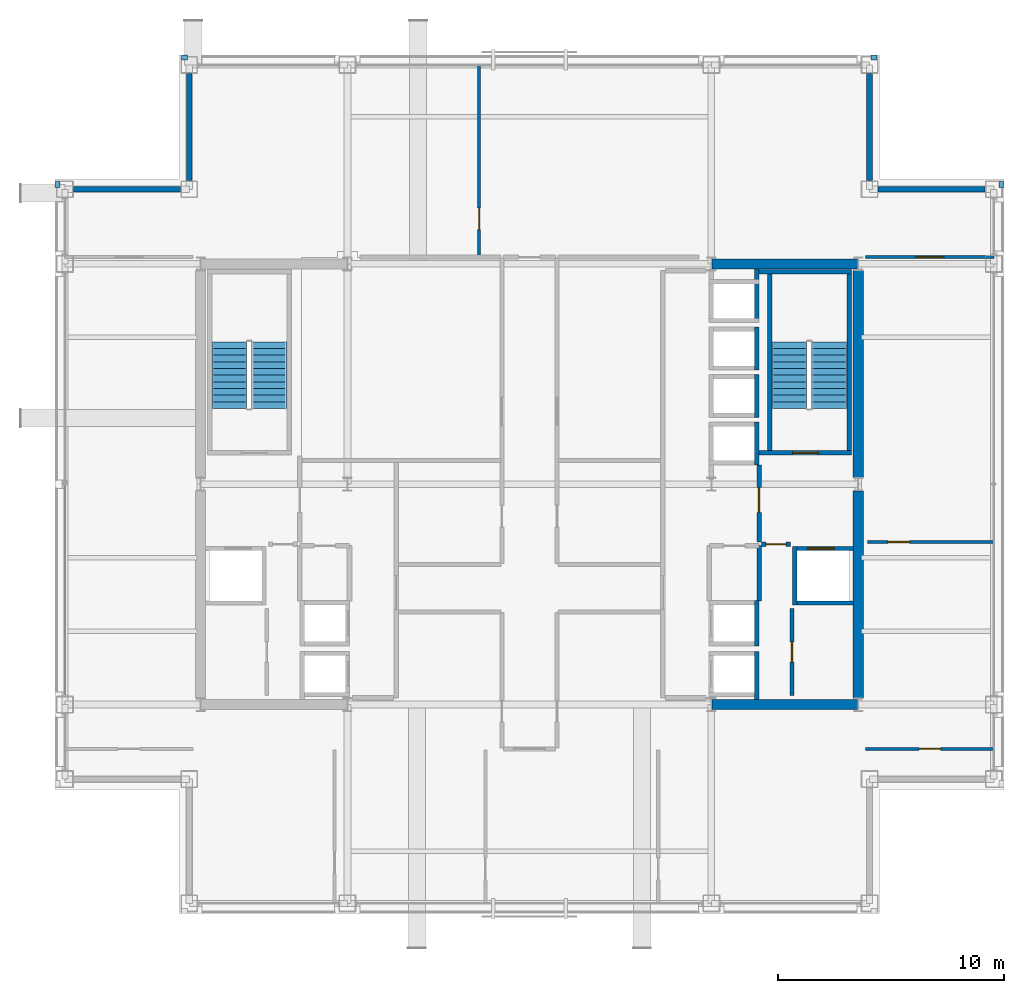
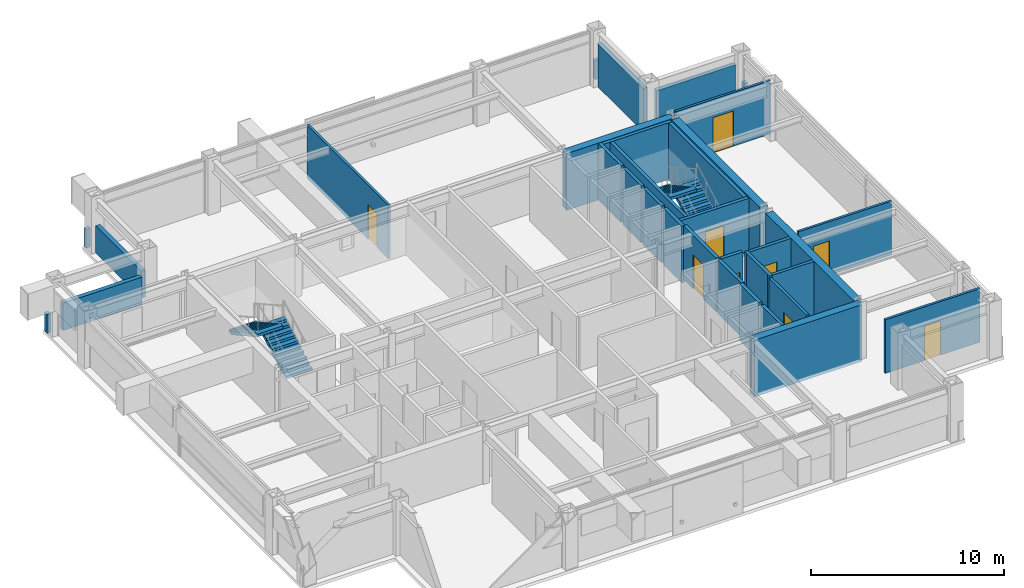
# One storey, part 26 of 28: 33 walls, 9 doors, 4 stair flights, 9 openings, 2 elements without a shape of their own.
"""IFC4 building model written with IfcOpenShell, lengths in metres."""

from ifc_helpers import new_model, si_unit, direction, frame, frame_2d, origin, place, context, subcontext, project, spatial, polyline, rectangle, outline, extrude, material, layer, layer_set, type_object, element, fill, aggregate, save


model = new_model("IFC4")

# Units and contexts
model_context = context("Model", 3, precision=1e-05, world=origin(), true_north=direction((0.0, 1.0)))
body_context = subcontext(model_context, "Body", "Model", "MODEL_VIEW")
ifc_project = project(units=[si_unit("LENGTHUNIT", "METRE"), si_unit("AREAUNIT", "SQUARE_METRE"), si_unit("VOLUMEUNIT", "CUBIC_METRE"), si_unit("PLANEANGLEUNIT", "RADIAN"), si_unit("MASSUNIT", "GRAM", prefix="KILO")], contexts=[model_context])

# Site, building, storey
site_placement = place(None, origin())
site = spatial("IfcSite", under=ifc_project, at=site_placement, CompositionType="ELEMENT")
building_placement = place(site_placement, origin())
building = spatial("IfcBuilding", under=site, at=building_placement, Name="Brelmoor Portico Tower", CompositionType="ELEMENT")
storey_placement = place(building_placement, frame((0.0, 0.0, 155.10009765625)))
storey = spatial("IfcBuildingStorey", under=building, at=storey_placement, Name="L40", CompositionType="ELEMENT", Elevation=155.10009765625)

# Walls
ifc_material_1 = material(Name="Concrete C50", Category="concrete")
ifc_layer_1 = layer(ifc_material_1, 0.449951171875)
ifc_layer_set_1 = layer_set([ifc_layer_1], Name="Concrete C50")
wall_type_1 = type_object("IfcWallType", Name="WL-CORE-450", PredefinedType="SHEAR", material=ifc_layer_set_1)
for number, where, z_axis, x_axis, name in (
    (1, (8.070068359375, -9.75, -0.2001953125), (0.0, 0.0, 1.0), (1.0, 0.0, 0.0), "L40 EC South Shear Wall"),
    (2, (8.070068359375, 9.75, -0.2001953125), (0.0, 0.0, 1.0), (1.0, 0.0, 0.0), "L40 EC North Shear Wall"),
):
    element("IfcWall", number, at=place(storey_placement, frame(where, z_axis=z_axis, x_axis=x_axis)), inside=storey, type_object=wall_type_1, Name=name, PredefinedType="SHEAR", context=body_context, shape_type="SweptSolid", body=[
        extrude(rectangle(XDim=6.4599609375, YDim=0.449951171875, at=frame_2d((3.22998046875, 0.0))), origin(), (0.0, 0.0, 1.0), 3.60009765625),
    ])
for number, where, z_axis, x_axis, name in (
    (3, (14.550048828125, -9.449951171875, -0.2001953125), (0.0, 0.0, 1.0), (0.0, 1.0, 0.0), "L40 EC Outer South Shear Wall"),
    (4, (14.550048828125, 0.300048828125, -0.2001953125), (0.0, 0.0, 1.0), (0.0, 1.0, 0.0), "L40 EC Outer North Shear Wall"),
):
    element("IfcWall", number, at=place(storey_placement, frame(where, z_axis=z_axis, x_axis=x_axis)), inside=storey, type_object=wall_type_1, Name=name, PredefinedType="SHEAR", context=body_context, shape_type="SweptSolid", body=[
        extrude(rectangle(XDim=9.14990234375, YDim=0.449951171875, at=frame_2d((4.574951171875, 0.0))), origin(), (0.0, 0.0, 1.0), 3.60009765625),
    ])
ifc_material_2 = material(Name="Precast Concrete C40 Insulated Facade Wall", Category="concrete")
ifc_layer_2 = layer(ifc_material_2, 0.25)
ifc_layer_set_2 = layer_set([ifc_layer_2], Name="Precast Concrete C40 Insulated Facade Wall")
wall_type_2 = type_object("IfcWallType", Name="WL-EXT-250", PredefinedType="STANDARD", material=ifc_layer_set_2)
for number, where, z_axis, x_axis, name in (
    (5, (-20.1650390625, 13.050048828125, 0.0), (0.0, 0.0, 1.0), (1.0, 0.0, 0.0), "L40 Corner Notch Facade Wall NNWH1"),
    (6, (-15.050048828125, 13.43505859375, 0.0), (0.0, 0.0, 1.0), (0.0, 1.0, 0.0), "L40 Corner Notch Facade Wall NNWV1"),
):
    element("IfcWall", number, at=place(storey_placement, frame(where, z_axis=z_axis, x_axis=x_axis)), inside=storey, type_object=wall_type_2, Name=name, PredefinedType="STANDARD", context=body_context, shape_type="SweptSolid", body=[
        extrude(rectangle(XDim=4.72998046875, YDim=0.25, at=frame_2d((2.364990234375, 0.0))), origin(), (0.0, 0.0, 1.0), 1.739990234375),
    ])
for number, where, z_axis, x_axis, name in (
    (7, (15.43505859375, 13.050048828125, 0.0), (0.0, 0.0, 1.0), (1.0, 0.0, 0.0), "L40 Corner Notch Facade Wall NNEH1"),
    (8, (15.050048828125, 13.43505859375, 0.0), (0.0, 0.0, 1.0), (0.0, 1.0, 0.0), "L40 Corner Notch Facade Wall NNEV1"),
):
    element("IfcWall", number, at=place(storey_placement, frame(where, z_axis=z_axis, x_axis=x_axis)), inside=storey, type_object=wall_type_2, Name=name, PredefinedType="STANDARD", context=body_context, shape_type="SweptSolid", body=[
        extrude(rectangle(XDim=4.72998046875, YDim=0.25, at=frame_2d((2.364990234375, 0.0))), origin(), (0.0, 0.0, 1.0), 2.75),
    ])
ifc_material_3 = material(Name="Concrete C40 Parapet Upstand", Category="concrete")
ifc_layer_3 = layer(ifc_material_3, 0.219970703125)
ifc_layer_set_3 = layer_set([ifc_layer_3], Name="Concrete C40 Parapet Upstand")
wall_type_3 = type_object("IfcWallType", Name="WL-PARAPET-220", PredefinedType="PARAPET", material=ifc_layer_set_3)
for number, where, z_axis, x_axis, name in (
    (9, (-15.389892578125, 18.889892578125, 0.0), (0.0, 0.0, 1.0), (1.0, 0.0, 0.0), "L40 Chamfer Vertex Parapet Pier NW1"),
    (10, (-20.889892578125, 13.1201171875, 0.0), (0.0, 0.0, 1.0), (0.0, 1.0, 0.0), "L40 Chamfer Vertex Parapet Pier NW2"),
    (11, (15.1201171875, 18.889892578125, 0.0), (0.0, 0.0, 1.0), (1.0, 0.0, 0.0), "L40 Chamfer Vertex Parapet Pier NE1"),
    (12, (20.889892578125, 13.1201171875, 0.0), (0.0, 0.0, 1.0), (0.0, 1.0, 0.0), "L40 Chamfer Vertex Parapet Pier NE2"),
):
    element("IfcWall", number, at=place(storey_placement, frame(where, z_axis=z_axis, x_axis=x_axis)), inside=storey, type_object=wall_type_3, Name=name, PredefinedType="PARAPET", context=body_context, shape_type="SweptSolid", body=[
        extrude(rectangle(XDim=0.269775390625, YDim=0.219970703125, at=frame_2d((0.134765625, 0.0))), origin(), (0.0, 0.0, 1.0), 1.199951171875),
    ])

# Wall, opening, door
ifc_material_4 = material(Name="Insulated Stud Suite Partition", Category="gypsum")
ifc_layer_4 = layer(ifc_material_4, 0.139892578125)
ifc_layer_set_4 = layer_set([ifc_layer_4], Name="Insulated Stud Suite Partition")
wall_type_4 = type_object("IfcWallType", Name="WL-PART-140", PredefinedType="PARTITIONING", material=ifc_layer_set_4)
wall_1_placement = place(storey_placement, frame((-2.2255859375, 10.110107421875, 0.0), z_axis=(0.0, 0.0, 1.0), x_axis=(0.0, 1.0, 0.0)))
wall_1 = element("IfcWall", 13, at=wall_1_placement, inside=storey, type_object=wall_type_4, Name="L40 North Suite Partition 1", PredefinedType="PARTITIONING", context=body_context, shape_type="SweptSolid", body=[
    extrude(rectangle(XDim=8.449951171875, YDim=0.139892578125, at=frame_2d((4.22509765625, 0.0))), origin(), (0.0, 0.0, 1.0), 3.39990234375),
])
opening_1_placement = place(wall_1_placement, frame((1.14990234375, 0.0, 0.0)))
opening_1 = element("IfcOpeningElement", 14, at=opening_1_placement, cuts=wall_1, Name="Opening D-IN2", PredefinedType="OPENING", context=body_context, shape_type="SweptSolid", body=[
    extrude(rectangle(XDim=0.9599609375, YDim=2.179931640625, at=frame_2d((0.47998046875, 1.08984375))), frame((0.0, 0.079833984375, 0.0), z_axis=(0.0, -1.0, 0.0), x_axis=(1.0, 0.0, 0.0)), (0.0, 0.0, 1.0), 0.159912109375),
])
ifc_material_5 = material(Name="Lacquered Timber Suite Door", Category="wood")
door_type_1 = type_object("IfcDoorType", Name="DR-INT-950", OperationType="NOTDEFINED", PredefinedType="DOOR", material=ifc_material_5)
door_1_placement = place(opening_1_placement, origin())
door_1 = element("IfcDoor", 15, at=door_1_placement, inside=storey, type_object=door_type_1, Name="D-1725 L40 North Suite Connecting Door 1", OperationType="SINGLE_SWING_LEFT", OverallHeight=2.179931640625, OverallWidth=0.9599609375, PredefinedType="DOOR", context=body_context, shape_type="SweptSolid", body=[
    extrude(rectangle(XDim=0.9599609375, YDim=2.179931640625, at=frame_2d((0.47998046875, 1.08984375))), frame((0.0, 0.02490234375, 0.0), z_axis=(0.0, -1.0, 0.0), x_axis=(1.0, 0.0, 0.0)), (0.0, 0.0, 1.0), 0.050048828125),
])
fill(opening_1, door_1)

wall_2_placement = place(storey_placement, frame((14.8798828125, 10.050048828125, 0.0), z_axis=(0.0, 0.0, 1.0), x_axis=(1.0, 0.0, 0.0)))
wall_2 = element("IfcWall", 16, at=wall_2_placement, inside=storey, type_object=wall_type_4, Name="L40 North Wing Suite Wall ER", PredefinedType="PARTITIONING", context=body_context, shape_type="SweptSolid", body=[
    extrude(rectangle(XDim=5.68017578125, YDim=0.139892578125, at=frame_2d((2.840087890625, 0.0))), origin(), (0.0, 0.0, 1.0), 3.39990234375),
])
opening_2_placement = place(wall_2_placement, frame((2.219970703125, 0.0, 0.0)))
opening_2 = element("IfcOpeningElement", 17, at=opening_2_placement, cuts=wall_2, Name="Opening D-SU1", PredefinedType="OPENING", context=body_context, shape_type="SweptSolid", body=[
    extrude(rectangle(XDim=1.239990234375, YDim=2.239990234375, at=frame_2d((0.6201171875, 1.1201171875))), frame((0.0, 0.079833984375, 0.0), z_axis=(0.0, -1.0, 0.0), x_axis=(1.0, 0.0, 0.0)), (0.0, 0.0, 1.0), 0.159912109375),
])
ifc_material_6 = material(Name="Glazed Timber Executive Suite Door", Category="wood")
door_type_2 = type_object("IfcDoorType", Name="DR-SUITE-1200", OperationType="NOTDEFINED", PredefinedType="DOOR", material=ifc_material_6)
door_2_placement = place(opening_2_placement, origin())
door_2 = element("IfcDoor", 18, at=door_2_placement, inside=storey, type_object=door_type_2, Name="D-1726 L40 ER Wing Suite Connecting Door", OperationType="SINGLE_SWING_RIGHT", OverallHeight=2.239990234375, OverallWidth=1.239990234375, PredefinedType="DOOR", context=body_context, shape_type="SweptSolid", body=[
    extrude(rectangle(XDim=1.239990234375, YDim=2.239990234375, at=frame_2d((0.6201171875, 1.1201171875))), frame((0.0, 0.02490234375, 0.0), z_axis=(0.0, -1.0, 0.0), x_axis=(1.0, 0.0, 0.0)), (0.0, 0.0, 1.0), 0.050048828125),
])
fill(opening_2, door_2)

wall_3_placement = place(storey_placement, frame((14.8798828125, -11.7099609375, 0.0), z_axis=(0.0, 0.0, 1.0), x_axis=(1.0, 0.0, 0.0)))
wall_3 = element("IfcWall", 19, at=wall_3_placement, inside=storey, type_object=wall_type_4, Name="L40 South Wing Closure ER", PredefinedType="PARTITIONING", context=body_context, shape_type="SweptSolid", body=[
    extrude(rectangle(XDim=5.68017578125, YDim=0.139892578125, at=frame_2d((2.840087890625, 0.0))), origin(), (0.0, 0.0, 1.0), 3.39990234375),
])
opening_3_placement = place(wall_3_placement, frame((2.360107421875, 0.0, 0.0)))
opening_3 = element("IfcOpeningElement", 20, at=opening_3_placement, cuts=wall_3, Name="Opening D-IN2", PredefinedType="OPENING", context=body_context, shape_type="SweptSolid", body=[
    extrude(rectangle(XDim=0.9599609375, YDim=2.179931640625, at=frame_2d((0.47998046875, 1.08984375))), frame((0.0, 0.079833984375, 0.0), z_axis=(0.0, -1.0, 0.0), x_axis=(1.0, 0.0, 0.0)), (0.0, 0.0, 1.0), 0.159912109375),
])
door_3_placement = place(opening_3_placement, origin())
door_3 = element("IfcDoor", 21, at=door_3_placement, inside=storey, type_object=door_type_1, Name="D-1734 L40 ER Wing South Suite Door", OperationType="SINGLE_SWING_LEFT", OverallHeight=2.179931640625, OverallWidth=0.9599609375, PredefinedType="DOOR", context=body_context, shape_type="SweptSolid", body=[
    extrude(rectangle(XDim=0.9599609375, YDim=2.179931640625, at=frame_2d((0.47998046875, 1.08984375))), frame((0.0, 0.02490234375, 0.0), z_axis=(0.0, -1.0, 0.0), x_axis=(1.0, 0.0, 0.0)), (0.0, 0.0, 1.0), 0.050048828125),
])
fill(opening_3, door_3)

wall_4_placement = place(storey_placement, frame((14.9599609375, -2.55810546875, 0.0), z_axis=(0.0, 0.0, 1.0), x_axis=(1.0, 0.0, 0.0)))
wall_4 = element("IfcWall", 22, at=wall_4_placement, inside=storey, type_object=wall_type_4, Name="L40 E Wing Partition 1", PredefinedType="PARTITIONING", context=body_context, shape_type="SweptSolid", body=[
    extrude(rectangle(XDim=5.60009765625, YDim=0.139892578125, at=frame_2d((2.800048828125, 0.0))), origin(), (0.0, 0.0, 1.0), 3.39990234375),
])
opening_4_placement = place(wall_4_placement, frame((0.89990234375, 0.0, 0.0)))
opening_4 = element("IfcOpeningElement", 23, at=opening_4_placement, cuts=wall_4, Name="Opening D-IN2", PredefinedType="OPENING", context=body_context, shape_type="SweptSolid", body=[
    extrude(rectangle(XDim=0.9599609375, YDim=2.179931640625, at=frame_2d((0.47998046875, 1.08984375))), frame((0.0, 0.079833984375, 0.0), z_axis=(0.0, -1.0, 0.0), x_axis=(1.0, 0.0, 0.0)), (0.0, 0.0, 1.0), 0.159912109375),
])
door_4_placement = place(opening_4_placement, origin())
door_4 = element("IfcDoor", 24, at=door_4_placement, inside=storey, type_object=door_type_1, Name="D-1736 L40 E Wing Suite Connecting Door 1", OperationType="SINGLE_SWING_RIGHT", OverallHeight=2.179931640625, OverallWidth=0.9599609375, PredefinedType="DOOR", context=body_context, shape_type="SweptSolid", body=[
    extrude(rectangle(XDim=0.9599609375, YDim=2.179931640625, at=frame_2d((0.47998046875, 1.08984375))), frame((0.0, 0.02490234375, 0.0), z_axis=(0.0, -1.0, 0.0), x_axis=(1.0, 0.0, 0.0)), (0.0, 0.0, 1.0), 0.050048828125),
])
fill(opening_4, door_4)

ifc_material_7 = material(Name="Twin-Frame Acoustic Partition", Category="gypsum")
ifc_layer_5 = layer(ifc_material_7, 0.159912109375)
ifc_layer_set_5 = layer_set([ifc_layer_5], Name="Twin-Frame Acoustic Partition")
wall_type_5 = type_object("IfcWallType", Name="WL-PART-160", PredefinedType="PARTITIONING", material=ifc_layer_set_5)
wall_5_placement = place(storey_placement, frame((11.6201171875, -9.35009765625, 0.0), z_axis=(0.0, 0.0, 1.0), x_axis=(0.0, 1.0, 0.0)))
wall_5 = element("IfcWall", 25, at=wall_5_placement, inside=storey, type_object=wall_type_5, Name="L40 E Core Service Front Wall", PredefinedType="PARTITIONING", context=body_context, shape_type="SweptSolid", body=[
    extrude(rectangle(XDim=3.85009765625, YDim=0.159912109375, at=frame_2d((1.925048828125, 0.0))), origin(), (0.0, 0.0, 1.0), 3.39990234375),
])
opening_5_placement = place(wall_5_placement, frame((1.47509765625, 0.0, 0.0)))
opening_5 = element("IfcOpeningElement", 26, at=opening_5_placement, cuts=wall_5, Name="Opening D-IN1", PredefinedType="OPENING", context=body_context, shape_type="SweptSolid", body=[
    extrude(rectangle(XDim=0.89990234375, YDim=2.14990234375, at=frame_2d((0.449951171875, 1.074951171875))), frame((0.0, 0.08984375, 0.0), z_axis=(0.0, -1.0, 0.0), x_axis=(1.0, 0.0, 0.0)), (0.0, 0.0, 1.0), 0.179931640625),
])
door_type_3 = type_object("IfcDoorType", Name="DR-INT-900", OperationType="NOTDEFINED", PredefinedType="DOOR", material=ifc_material_5)
door_5_placement = place(opening_5_placement, origin())
door_5 = element("IfcDoor", 27, at=door_5_placement, inside=storey, type_object=door_type_3, Name="D-1714 L40 E Male WC Door", OperationType="SINGLE_SWING_RIGHT", OverallHeight=2.14990234375, OverallWidth=0.89990234375, PredefinedType="DOOR", context=body_context, shape_type="SweptSolid", body=[
    extrude(rectangle(XDim=0.89990234375, YDim=2.14990234375, at=frame_2d((0.449951171875, 1.074951171875))), frame((0.0, 0.02490234375, 0.0), z_axis=(0.0, -1.0, 0.0), x_axis=(1.0, 0.0, 0.0)), (0.0, 0.0, 1.0), 0.050048828125),
])
fill(opening_5, door_5)

ifc_material_8 = material(Name="Double-Stud Gypsum Fire Partition", Category="gypsum")
ifc_layer_6 = layer(ifc_material_8, 0.199951171875)
ifc_layer_set_6 = layer_set([ifc_layer_6], Name="Double-Stud Gypsum Fire Partition")
wall_type_6 = type_object("IfcWallType", Name="WL-PART-200", PredefinedType="PARTITIONING", material=ifc_layer_set_6)
wall_6_placement = place(storey_placement, frame((10.159912109375, -2.550048828125, 0.0), z_axis=(0.0, 0.0, 1.0), x_axis=(0.0, 1.0, 0.0)))
wall_6 = element("IfcWall", 28, at=wall_6_placement, inside=storey, type_object=wall_type_6, Name="L40 E Firefighting Lobby Wall", PredefinedType="PARTITIONING", context=body_context, shape_type="SweptSolid", body=[
    extrude(rectangle(XDim=3.400146484375, YDim=0.199951171875, at=frame_2d((1.7001953125, 0.0))), origin(), (0.0, 0.0, 1.0), 3.39990234375),
])
opening_6_placement = place(wall_6_placement, frame((1.300048828125, 0.0, 0.0)))
opening_6 = element("IfcOpeningElement", 29, at=opening_6_placement, cuts=wall_6, Name="Opening D-FR1", PredefinedType="OPENING", context=body_context, shape_type="SweptSolid", body=[
    extrude(rectangle(XDim=1.10009765625, YDim=2.14990234375, at=frame_2d((0.550048828125, 1.074951171875))), frame((0.0, 0.10986328125, 0.0), z_axis=(0.0, -1.0, 0.0), x_axis=(1.0, 0.0, 0.0)), (0.0, 0.0, 1.0), 0.219970703125),
])
ifc_material_9 = material(Name="Painted Galvanised Steel Fire Door", Category="steel")
door_type_4 = type_object("IfcDoorType", Name="DR-FIRE-1100", OperationType="NOTDEFINED", PredefinedType="DOOR", material=ifc_material_9)
door_6_placement = place(opening_6_placement, origin())
door_6 = element("IfcDoor", 30, at=door_6_placement, inside=storey, type_object=door_type_4, Name="D-1720 L40 E Firefighting Lobby Door", OperationType="SINGLE_SWING_LEFT", OverallHeight=2.14990234375, OverallWidth=1.10009765625, PredefinedType="DOOR", context=body_context, shape_type="SweptSolid", body=[
    extrude(rectangle(XDim=1.10009765625, YDim=2.14990234375, at=frame_2d((0.550048828125, 1.074951171875))), frame((0.0, 0.02490234375, 0.0), z_axis=(0.0, -1.0, 0.0), x_axis=(1.0, 0.0, 0.0)), (0.0, 0.0, 1.0), 0.050048828125),
])
fill(opening_6, door_6)

wall_7_placement = place(storey_placement, frame((10.280029296875, -2.64990234375, 0.0), z_axis=(0.0, 0.0, 1.0), x_axis=(1.0, 0.0, 0.0)))
wall_7 = element("IfcWall", 31, at=wall_7_placement, inside=storey, type_object=wall_type_6, Name="L40 E Firefighting Lobby South Wall", PredefinedType="PARTITIONING", context=body_context, shape_type="SweptSolid", body=[
    extrude(rectangle(XDim=1.27001953125, YDim=0.199951171875, at=frame_2d((0.635009765625, 0.0))), origin(), (0.0, 0.0, 1.0), 3.39990234375),
])
opening_7_placement = place(wall_7_placement, frame((0.18505859375, 0.0, 0.0)))
opening_7 = element("IfcOpeningElement", 32, at=opening_7_placement, cuts=wall_7, Name="Opening D-IN1", PredefinedType="OPENING", context=body_context, shape_type="SweptSolid", body=[
    extrude(rectangle(XDim=0.89990234375, YDim=2.14990234375, at=frame_2d((0.449951171875, 1.074951171875))), frame((0.0, 0.10986328125, 0.0), z_axis=(0.0, -1.0, 0.0), x_axis=(1.0, 0.0, 0.0)), (0.0, 0.0, 1.0), 0.219970703125),
])
door_7_placement = place(opening_7_placement, origin())
door_7 = element("IfcDoor", 33, at=door_7_placement, inside=storey, type_object=door_type_3, Name="D-1715 L40 E Core Service Vestibule Door", OperationType="SINGLE_SWING_RIGHT", OverallHeight=2.14990234375, OverallWidth=0.89990234375, PredefinedType="DOOR", context=body_context, shape_type="SweptSolid", body=[
    extrude(rectangle(XDim=0.89990234375, YDim=2.14990234375, at=frame_2d((0.449951171875, 1.074951171875))), frame((0.0, 0.02490234375, 0.0), z_axis=(0.0, -1.0, 0.0), x_axis=(1.0, 0.0, 0.0)), (0.0, 0.0, 1.0), 0.050048828125),
])
fill(opening_7, door_7)

# Walls
wall_8_placement = place(storey_placement, frame((10.159912109375, -5.159912109375, 0.0), z_axis=(0.0, 0.0, 1.0), x_axis=(0.0, 1.0, 0.0)))
element("IfcWall", 34, at=wall_8_placement, inside=storey, type_object=wall_type_6, Name="L40 E Electrical Switchgear Closet Outer Wall", PredefinedType="PARTITIONING", context=body_context, shape_type="SweptSolid", body=[
    extrude(rectangle(XDim=2.43994140625, YDim=0.199951171875, at=frame_2d((1.219970703125, 0.0))), origin(), (0.0, 0.0, 1.0), 3.39990234375),
])
ifc_material_10 = material(Name="Precast Concrete C40", Category="concrete")
ifc_layer_7 = layer(ifc_material_10, 0.18994140625)
ifc_layer_set_7 = layer_set([ifc_layer_7], Name="Precast Concrete C40")
wall_type_7 = type_object("IfcWallType", Name="WL-SHAFT-180", PredefinedType="SOLIDWALL", material=ifc_layer_set_7)
wall_9_placement = place(storey_placement, frame((10.054931640625, 0.85009765625, -0.2001953125), z_axis=(0.0, 0.0, 1.0), x_axis=(0.0, 1.0, 0.0)))
element("IfcWall", 35, at=wall_9_placement, inside=storey, type_object=wall_type_7, Name="L40 Lift PM1 Hoistway Back Wall", PredefinedType="SOLIDWALL", context=body_context, shape_type="SweptSolid", body=[
    extrude(rectangle(XDim=1.89990234375, YDim=0.18994140625, at=frame_2d((0.949951171875, 0.0))), origin(), (0.0, 0.0, 1.0), 3.60009765625),
])
wall_10_placement = place(storey_placement, frame((10.054931640625, 2.949951171875, -0.2001953125), z_axis=(0.0, 0.0, 1.0), x_axis=(0.0, 1.0, 0.0)))
element("IfcWall", 36, at=wall_10_placement, inside=storey, type_object=wall_type_7, Name="L40 Lift PM2 Hoistway Back Wall", PredefinedType="SOLIDWALL", context=body_context, shape_type="SweptSolid", body=[
    extrude(rectangle(XDim=1.900146484375, YDim=0.18994140625, at=frame_2d((0.9501953125, 0.0))), origin(), (0.0, 0.0, 1.0), 3.60009765625),
])
wall_11_placement = place(storey_placement, frame((10.054931640625, 5.050048828125, -0.2001953125), z_axis=(0.0, 0.0, 1.0), x_axis=(0.0, 1.0, 0.0)))
element("IfcWall", 37, at=wall_11_placement, inside=storey, type_object=wall_type_7, Name="L40 Lift PM3 Hoistway Back Wall", PredefinedType="SOLIDWALL", context=body_context, shape_type="SweptSolid", body=[
    extrude(rectangle(XDim=1.89990234375, YDim=0.18994140625, at=frame_2d((0.949951171875, 0.0))), origin(), (0.0, 0.0, 1.0), 3.60009765625),
])
wall_12_placement = place(storey_placement, frame((10.054931640625, 7.14990234375, -0.2001953125), z_axis=(0.0, 0.0, 1.0), x_axis=(0.0, 1.0, 0.0)))
element("IfcWall", 38, at=wall_12_placement, inside=storey, type_object=wall_type_7, Name="L40 Lift PM4 Hoistway Back Wall", PredefinedType="SOLIDWALL", context=body_context, shape_type="SweptSolid", body=[
    extrude(rectangle(XDim=2.3701171875, YDim=0.18994140625, at=frame_2d((1.18505859375, 0.0))), origin(), (0.0, 0.0, 1.0), 3.60009765625),
])
wall_13_placement = place(storey_placement, frame((10.054931640625, -9.52001953125, -0.2001953125), z_axis=(0.0, 0.0, 1.0), x_axis=(0.0, 1.0, 0.0)))
element("IfcWall", 39, at=wall_13_placement, inside=storey, type_object=wall_type_7, Name="L40 Lift PH3 Hoistway Back Wall", PredefinedType="SOLIDWALL", context=body_context, shape_type="SweptSolid", body=[
    extrude(rectangle(XDim=2.1201171875, YDim=0.18994140625, at=frame_2d((1.06005859375, 0.0))), origin(), (0.0, 0.0, 1.0), 3.60009765625),
])
wall_14_placement = place(storey_placement, frame((10.054931640625, -7.14990234375, -0.2001953125), z_axis=(0.0, 0.0, 1.0), x_axis=(0.0, 1.0, 0.0)))
element("IfcWall", 40, at=wall_14_placement, inside=storey, type_object=wall_type_7, Name="L40 Lift PH4 Hoistway Back Wall", PredefinedType="SOLIDWALL", context=body_context, shape_type="SweptSolid", body=[
    extrude(rectangle(XDim=2.0, YDim=0.18994140625, at=frame_2d((1.0, 0.0))), origin(), (0.0, 0.0, 1.0), 3.60009765625),
])

# Wall, opening, door
wall_15_placement = place(storey_placement, frame((11.64990234375, -2.844970703125, -0.2001953125), z_axis=(0.0, 0.0, 1.0), x_axis=(1.0, 0.0, 0.0)))
wall_15 = element("IfcWall", 41, at=wall_15_placement, inside=storey, type_object=wall_type_7, Name="L40 Lift FF2 Hoistway Front Wall", PredefinedType="SOLIDWALL", context=body_context, shape_type="SweptSolid", body=[
    extrude(rectangle(XDim=2.68017578125, YDim=0.18994140625, at=frame_2d((1.340087890625, 0.0))), origin(), (0.0, 0.0, 1.0), 3.60009765625),
])
opening_8_placement = place(wall_15_placement, frame((0.64990234375, 0.0, 0.199951171875)))
opening_8 = element("IfcOpeningElement", 42, at=opening_8_placement, cuts=wall_15, Name="Opening LD-02", PredefinedType="OPENING", context=body_context, shape_type="SweptSolid", body=[
    extrude(rectangle(XDim=1.199951171875, YDim=2.199951171875, at=frame_2d((0.60009765625, 1.10009765625))), frame((0.0, 0.10498046875, 0.0), z_axis=(0.0, -1.0, 0.0), x_axis=(1.0, 0.0, 0.0)), (0.0, 0.0, 1.0), 0.2099609375),
])
ifc_material_11 = material(Name="Brushed Stainless Steel Firefighting Lift Door", Category="steel")
door_type_5 = type_object("IfcDoorType", Name="DR-LIFT-1200", OperationType="NOTDEFINED", PredefinedType="DOOR", material=ifc_material_11)
door_8_placement = place(opening_8_placement, origin())
door_8 = element("IfcDoor", 43, at=door_8_placement, inside=storey, type_object=door_type_5, Name="D-1738 L40 Lift FF2 Sliding Landing Door", OperationType="SLIDING_TO_LEFT", OverallHeight=2.199951171875, OverallWidth=1.199951171875, PredefinedType="DOOR", context=body_context, shape_type="SweptSolid", body=[
    extrude(rectangle(XDim=1.199951171875, YDim=2.199951171875, at=frame_2d((0.60009765625, 1.10009765625))), frame((0.0, 0.02490234375, 0.0), z_axis=(0.0, -1.0, 0.0), x_axis=(1.0, 0.0, 0.0)), (0.0, 0.0, 1.0), 0.050048828125),
])
fill(opening_8, door_8)

# Walls
wall_16_placement = place(storey_placement, frame((11.64990234375, -5.2548828125, -0.2001953125), z_axis=(0.0, 0.0, 1.0), x_axis=(1.0, 0.0, 0.0)))
element("IfcWall", 44, at=wall_16_placement, inside=storey, type_object=wall_type_7, Name="L40 Firefighting Lift FF2 South Wall", PredefinedType="SOLIDWALL", context=body_context, shape_type="SweptSolid", body=[
    extrude(rectangle(XDim=2.68017578125, YDim=0.18994140625, at=frame_2d((1.340087890625, 0.0))), origin(), (0.0, 0.0, 1.0), 3.60009765625),
])
wall_17_placement = place(storey_placement, frame((11.7451171875, -5.35009765625, -0.2001953125), z_axis=(0.0, 0.0, 1.0), x_axis=(0.0, 1.0, 0.0)))
element("IfcWall", 45, at=wall_17_placement, inside=storey, type_object=wall_type_7, Name="L40 Firefighting Lift FF2 Inner Wall", PredefinedType="SOLIDWALL", context=body_context, shape_type="SweptSolid", body=[
    extrude(rectangle(XDim=2.60009765625, YDim=0.18994140625, at=frame_2d((1.300048828125, 0.0))), origin(), (0.0, 0.0, 1.0), 3.60009765625),
])
ifc_material_12 = material(Name="Concrete C40", Category="concrete")
ifc_layer_8 = layer(ifc_material_12, 0.199951171875)
ifc_layer_set_8 = layer_set([ifc_layer_8], Name="Concrete C40")
wall_type_8 = type_object("IfcWallType", Name="WL-SHAFT-RC200", PredefinedType="SOLIDWALL", material=ifc_layer_set_8)
wall_18_placement = place(storey_placement, frame((14.14990234375, 1.5, -0.2001953125), z_axis=(0.0, 0.0, 1.0), x_axis=(0.0, 1.0, 0.0)))
element("IfcWall", 46, at=wall_18_placement, inside=storey, type_object=wall_type_8, Name="L40 ST-E Structural Stair Wall Outer", PredefinedType="SOLIDWALL", context=body_context, shape_type="SweptSolid", body=[
    extrude(rectangle(XDim=7.800048828125, YDim=0.199951171875, at=frame_2d((3.89990234375, 0.0))), origin(), (0.0, 0.0, 1.0), 3.60009765625),
])

# Wall, opening, door
wall_19_placement = place(storey_placement, frame((10.14990234375, 1.39990234375, -0.2001953125), z_axis=(0.0, 0.0, 1.0), x_axis=(1.0, 0.0, 0.0)))
wall_19 = element("IfcWall", 47, at=wall_19_placement, inside=storey, type_object=wall_type_8, Name="L40 ST-E Structural Stair Wall S", PredefinedType="SOLIDWALL", context=body_context, shape_type="SweptSolid", body=[
    extrude(rectangle(XDim=4.10009765625, YDim=0.199951171875, at=frame_2d((2.050048828125, 0.0))), origin(), (0.0, 0.0, 1.0), 3.60009765625),
])
opening_9_placement = place(wall_19_placement, frame((1.5, 0.0, 0.199951171875)))
opening_9 = element("IfcOpeningElement", 48, at=opening_9_placement, cuts=wall_19, Name="Opening D-ST1", PredefinedType="OPENING", context=body_context, shape_type="SweptSolid", body=[
    extrude(rectangle(XDim=1.1201171875, YDim=2.179931640625, at=frame_2d((0.56005859375, 1.08984375))), frame((0.0, 0.10986328125, 0.0), z_axis=(0.0, -1.0, 0.0), x_axis=(1.0, 0.0, 0.0)), (0.0, 0.0, 1.0), 0.219970703125),
])
door_type_6 = type_object("IfcDoorType", Name="DR-STAIR-1100", OperationType="NOTDEFINED", PredefinedType="DOOR", material=ifc_material_9)
door_9_placement = place(opening_9_placement, origin())
door_9 = element("IfcDoor", 49, at=door_9_placement, inside=storey, type_object=door_type_6, Name="D-1732 L40 ST-E Protected Exit Stair Door", OperationType="SINGLE_SWING_RIGHT", OverallHeight=2.179931640625, OverallWidth=1.1201171875, PredefinedType="DOOR", context=body_context, shape_type="SweptSolid", body=[
    extrude(rectangle(XDim=1.1201171875, YDim=2.179931640625, at=frame_2d((0.56005859375, 1.08984375))), frame((0.0, 0.02490234375, 0.0), z_axis=(0.0, -1.0, 0.0), x_axis=(1.0, 0.0, 0.0)), (0.0, 0.0, 1.0), 0.050048828125),
])
fill(opening_9, door_9)

# Walls
wall_20_placement = place(storey_placement, frame((10.14990234375, 9.39990234375, -0.2001953125), z_axis=(0.0, 0.0, 1.0), x_axis=(1.0, 0.0, 0.0)))
element("IfcWall", 50, at=wall_20_placement, inside=storey, type_object=wall_type_8, Name="L40 ST-E Structural Stair Wall N", PredefinedType="SOLIDWALL", context=body_context, shape_type="SweptSolid", body=[
    extrude(rectangle(XDim=4.10009765625, YDim=0.199951171875, at=frame_2d((2.050048828125, 0.0))), origin(), (0.0, 0.0, 1.0), 3.60009765625),
])
wall_21_placement = place(storey_placement, frame((10.6298828125, 1.5, -0.2001953125), z_axis=(0.0, 0.0, 1.0), x_axis=(0.0, 1.0, 0.0)))
element("IfcWall", 51, at=wall_21_placement, inside=storey, type_object=wall_type_8, Name="L40 ST-E Structural Stair Wall Inner", PredefinedType="SOLIDWALL", context=body_context, shape_type="SweptSolid", body=[
    extrude(rectangle(XDim=7.800048828125, YDim=0.199951171875, at=frame_2d((3.89990234375, 0.0))), origin(), (0.0, 0.0, 1.0), 3.60009765625),
])

# Stair, stair flights
stair_type_1 = type_object("IfcStairType", Name="ST-CORE-W", PredefinedType="HALF_TURN_STAIR", material=ifc_material_12)
stair_1_placement = place(storey_placement, origin())
stair_1 = element("IfcStair", 52, at=stair_1_placement, inside=storey, type_object=stair_type_1, Name="L40 Protected Core Exit Stair ST-W", PredefinedType="HALF_TURN_STAIR")
stair_flight_type = type_object("IfcStairFlightType", Name="SF-CORE-1850", PredefinedType="STRAIGHT", material=ifc_material_12)
stair_flight_1_placement = place(storey_placement, frame((-11.510009765625, 3.35009765625, 0.0), z_axis=(0.0, 0.0, 1.0), x_axis=(0.0, 1.0, 0.0)))
stair_flight_1 = element("IfcStairFlight", 53, at=stair_flight_1_placement, type_object=stair_flight_type, Name="ST-W flight 1", NumberOfRisers=11, NumberOfTreads=10, PredefinedType="STRAIGHT", RiserHeight=0.163636364, TreadLength=0.295, context=body_context, shape_type="SweptSolid", body=[
    extrude(outline(polyline([(0.0, 0.0), (0.0, 0.16357421875), (0.294921875, 0.16357421875), (0.294921875, 0.327392578125), (0.590087890625, 0.327392578125), (0.590087890625, 0.490966796875), (0.885009765625, 0.490966796875), (0.885009765625, 0.654541015625), (1.179931640625, 0.654541015625), (1.179931640625, 0.818115234375), (1.47509765625, 0.818115234375), (1.47509765625, 0.98193359375), (1.77001953125, 0.98193359375), (1.77001953125, 1.1455078125), (2.06494140625, 1.1455078125), (2.06494140625, 1.30908203125), (2.360107421875, 1.30908203125), (2.360107421875, 1.47265625), (2.655029296875, 1.47265625), (2.655029296875, 1.636474609375), (2.949951171875, 1.636474609375), (2.949951171875, 1.800048828125), (2.949951171875, 1.46484375), (0.30908203125, 0.0), (0.0, 0.0)])), frame((0.0, 0.780029296875, 0.0), z_axis=(0.0, -1.0, 0.0), x_axis=(1.0, 0.0, 0.0)), (0.0, 0.0, 1.0), 1.56005859375),
])
stair_flight_2_placement = place(storey_placement, frame((-13.27001953125, 6.300048828125, 1.7998046875), z_axis=(0.0, 0.0, 1.0), x_axis=(0.0, -1.0, 0.0)))
stair_flight_2 = element("IfcStairFlight", 54, at=stair_flight_2_placement, type_object=stair_flight_type, Name="ST-W flight 2", NumberOfRisers=11, NumberOfTreads=10, PredefinedType="STRAIGHT", RiserHeight=0.163636364, TreadLength=0.295, context=body_context, shape_type="SweptSolid", body=[
    extrude(outline(polyline([(0.0, 0.0), (0.0, 0.16357421875), (0.294921875, 0.16357421875), (0.294921875, 0.327392578125), (0.590087890625, 0.327392578125), (0.590087890625, 0.490966796875), (0.885009765625, 0.490966796875), (0.885009765625, 0.654541015625), (1.179931640625, 0.654541015625), (1.179931640625, 0.818115234375), (1.47509765625, 0.818115234375), (1.47509765625, 0.98193359375), (1.77001953125, 0.98193359375), (1.77001953125, 1.1455078125), (2.06494140625, 1.1455078125), (2.06494140625, 1.30908203125), (2.360107421875, 1.30908203125), (2.360107421875, 1.47265625), (2.655029296875, 1.47265625), (2.655029296875, 1.636474609375), (2.949951171875, 1.636474609375), (2.949951171875, 1.800048828125), (2.949951171875, 1.46484375), (0.30908203125, 0.0), (0.0, 0.0)])), frame((0.0, 0.780029296875, 0.0), z_axis=(0.0, -1.0, 0.0), x_axis=(1.0, 0.0, 0.0)), (0.0, 0.0, 1.0), 1.56005859375),
])
aggregate(stair_1, [stair_flight_1, stair_flight_2])

stair_type_2 = type_object("IfcStairType", Name="ST-CORE-E", PredefinedType="HALF_TURN_STAIR", material=ifc_material_12)
stair_2_placement = place(storey_placement, origin())
stair_2 = element("IfcStair", 55, at=stair_2_placement, inside=storey, type_object=stair_type_2, Name="L40 Protected Core Exit Stair ST-E", PredefinedType="HALF_TURN_STAIR")
stair_flight_3_placement = place(storey_placement, frame((13.27001953125, 3.35009765625, 0.0), z_axis=(0.0, 0.0, 1.0), x_axis=(0.0, 1.0, 0.0)))
stair_flight_3 = element("IfcStairFlight", 56, at=stair_flight_3_placement, type_object=stair_flight_type, Name="ST-E flight 1", NumberOfRisers=11, NumberOfTreads=10, PredefinedType="STRAIGHT", RiserHeight=0.163636364, TreadLength=0.295, context=body_context, shape_type="SweptSolid", body=[
    extrude(outline(polyline([(0.0, 0.0), (0.0, 0.16357421875), (0.294921875, 0.16357421875), (0.294921875, 0.327392578125), (0.590087890625, 0.327392578125), (0.590087890625, 0.490966796875), (0.885009765625, 0.490966796875), (0.885009765625, 0.654541015625), (1.179931640625, 0.654541015625), (1.179931640625, 0.818115234375), (1.47509765625, 0.818115234375), (1.47509765625, 0.98193359375), (1.77001953125, 0.98193359375), (1.77001953125, 1.1455078125), (2.06494140625, 1.1455078125), (2.06494140625, 1.30908203125), (2.360107421875, 1.30908203125), (2.360107421875, 1.47265625), (2.655029296875, 1.47265625), (2.655029296875, 1.636474609375), (2.949951171875, 1.636474609375), (2.949951171875, 1.800048828125), (2.949951171875, 1.46484375), (0.30908203125, 0.0), (0.0, 0.0)])), frame((0.0, 0.780029296875, 0.0), z_axis=(0.0, -1.0, 0.0), x_axis=(1.0, 0.0, 0.0)), (0.0, 0.0, 1.0), 1.56005859375),
])
stair_flight_4_placement = place(storey_placement, frame((11.510009765625, 6.300048828125, 1.7998046875), z_axis=(0.0, 0.0, 1.0), x_axis=(0.0, -1.0, 0.0)))
stair_flight_4 = element("IfcStairFlight", 57, at=stair_flight_4_placement, type_object=stair_flight_type, Name="ST-E flight 2", NumberOfRisers=11, NumberOfTreads=10, PredefinedType="STRAIGHT", RiserHeight=0.163636364, TreadLength=0.295, context=body_context, shape_type="SweptSolid", body=[
    extrude(outline(polyline([(0.0, 0.0), (0.0, 0.16357421875), (0.294921875, 0.16357421875), (0.294921875, 0.327392578125), (0.590087890625, 0.327392578125), (0.590087890625, 0.490966796875), (0.885009765625, 0.490966796875), (0.885009765625, 0.654541015625), (1.179931640625, 0.654541015625), (1.179931640625, 0.818115234375), (1.47509765625, 0.818115234375), (1.47509765625, 0.98193359375), (1.77001953125, 0.98193359375), (1.77001953125, 1.1455078125), (2.06494140625, 1.1455078125), (2.06494140625, 1.30908203125), (2.360107421875, 1.30908203125), (2.360107421875, 1.47265625), (2.655029296875, 1.47265625), (2.655029296875, 1.636474609375), (2.949951171875, 1.636474609375), (2.949951171875, 1.800048828125), (2.949951171875, 1.46484375), (0.30908203125, 0.0), (0.0, 0.0)])), frame((0.0, 0.780029296875, 0.0), z_axis=(0.0, -1.0, 0.0), x_axis=(1.0, 0.0, 0.0)), (0.0, 0.0, 1.0), 1.56005859375),
])
aggregate(stair_2, [stair_flight_3, stair_flight_4])

save(model, "model.ifc")
